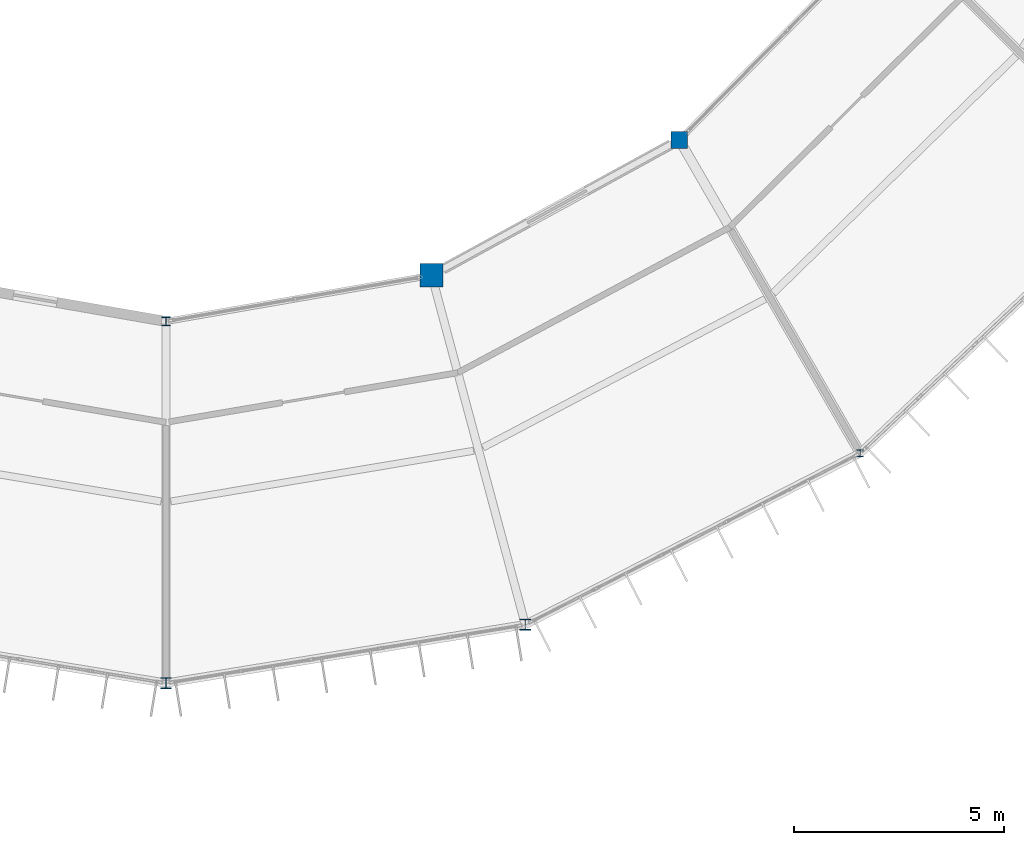
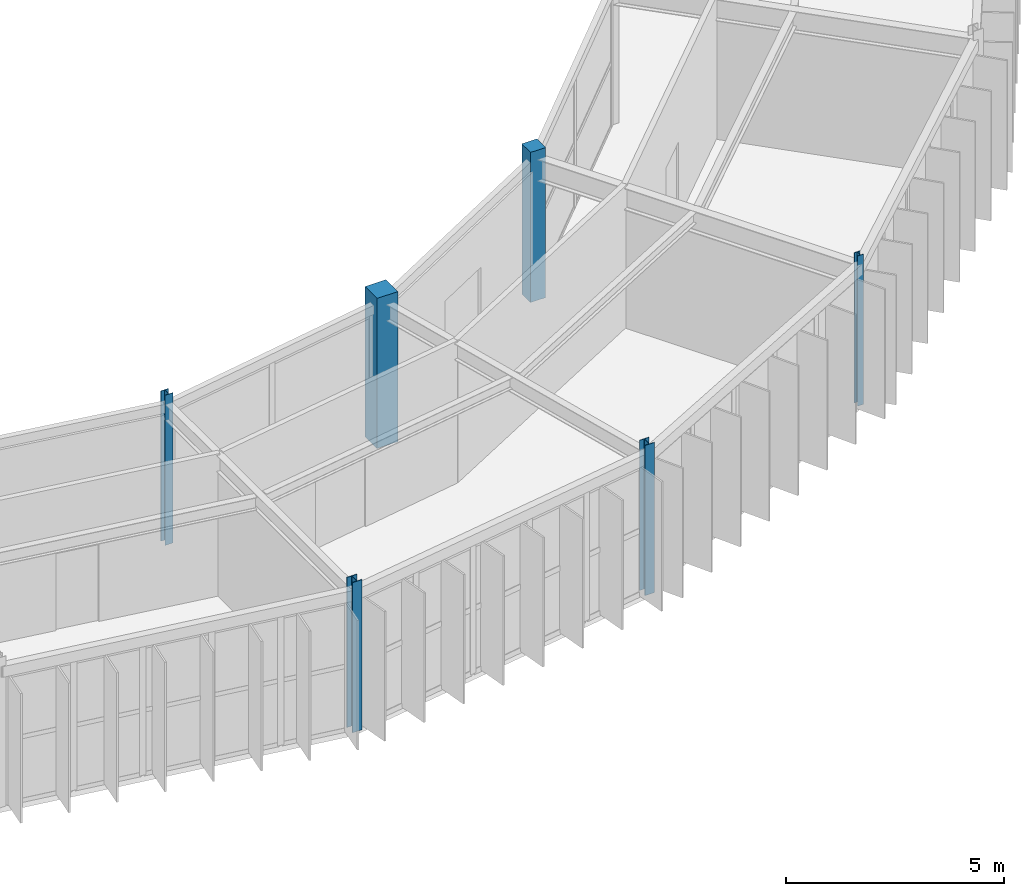
# One storey, part 6 of 134: 6 columns.
"""IFC4 building model written with IfcOpenShell, lengths in metres."""

from ifc_helpers import new_model, si_unit, direction, frame, origin, origin_2d, place, context, subcontext, project, spatial, rectangle, i_section, extrude, material, material_profile, profile_set, type_object, element, save


model = new_model("IFC4")

# Units and contexts
model_context = context("Model", 3, precision=1e-05, world=origin(), true_north=direction((0.0, 1.0)))
body_context = subcontext(model_context, "Body", "Model", "MODEL_VIEW")
ifc_project = project(units=[si_unit("LENGTHUNIT", "METRE"), si_unit("AREAUNIT", "SQUARE_METRE"), si_unit("VOLUMEUNIT", "CUBIC_METRE"), si_unit("PLANEANGLEUNIT", "RADIAN"), si_unit("MASSUNIT", "GRAM", prefix="KILO")], contexts=[model_context])

# Site, building, storey
site_placement = place(None, origin())
site = spatial("IfcSite", under=ifc_project, at=site_placement, CompositionType="ELEMENT")
building_placement = place(site_placement, origin())
building = spatial("IfcBuilding", under=site, at=building_placement, Name="Karori Crest Natural Sciences Institute", CompositionType="ELEMENT")
storey_placement = place(building_placement, frame((0.0, 0.0, 21.699951171875)))
storey = spatial("IfcBuildingStorey", under=building, at=storey_placement, Name="L05", CompositionType="ELEMENT", Elevation=21.699951171875)

# Columns
ifc_material_1 = material(Name="Structural steel AS/NZS 3679.1 Grade 350", Category="steel")
ifc_material_profile_1 = material_profile(ifc_material_1, i_section(OverallWidth=0.256103515625, OverallDepth=0.260009765625, WebThickness=0.010498046875, FlangeThickness=0.017333984375, FilletRadius=0.013916015625, at=origin_2d()), Name="250UC89.5")
ifc_profile_set_1 = profile_set([ifc_material_profile_1], Name="Structural steel AS/NZS 3679.1 Grade 350")
column_type_1 = type_object("IfcColumnType", Name="CT-06", PredefinedType="COLUMN", material=ifc_profile_set_1)
column_1_placement = place(storey_placement, frame((66.39990234375, 9.10009765625, 0.0), z_axis=(0.0, 0.0, 1.0), x_axis=(1.0, 0.0, 0.0)))
element("IfcColumn", 1, at=column_1_placement, inside=storey, type_object=column_type_1, Name="Column C-0309", PredefinedType="COLUMN", context=body_context, shape_type="SweptSolid", body=[
    extrude(i_section(OverallWidth=0.256103515625, OverallDepth=0.260009765625, WebThickness=0.010498046875, FlangeThickness=0.017333984375, FilletRadius=0.013916015625, at=origin_2d()), origin(), (0.0, 0.0, 1.0), 4.199951171875),
])
ifc_material_profile_2 = material_profile(ifc_material_1, i_section(OverallWidth=0.25390625, OverallDepth=0.25390625, WebThickness=0.008544921875, FlangeThickness=0.01416015625, FilletRadius=0.013916015625, at=origin_2d()), Name="250UC72.9")
ifc_profile_set_2 = profile_set([ifc_material_profile_2], Name="Structural steel AS/NZS 3679.1 Grade 350")
column_type_2 = type_object("IfcColumnType", Name="CT-07", PredefinedType="COLUMN", material=ifc_profile_set_2)
column_2_placement = place(storey_placement, frame((74.94091796875, 10.490234375, 0.0), z_axis=(0.0, 0.0, 1.0), x_axis=(1.0, 0.0, 0.0)))
element("IfcColumn", 2, at=column_2_placement, inside=storey, type_object=column_type_2, Name="Column C-0325", PredefinedType="COLUMN", context=body_context, shape_type="SweptSolid", body=[
    extrude(i_section(OverallWidth=0.25390625, OverallDepth=0.25390625, WebThickness=0.008544921875, FlangeThickness=0.01416015625, FilletRadius=0.013916015625, at=origin_2d()), origin(), (0.0, 0.0, 1.0), 4.199951171875),
])
ifc_material_profile_3 = material_profile(ifc_material_1, i_section(OverallWidth=0.205078125, OverallDepth=0.2099609375, WebThickness=0.00927734375, FlangeThickness=0.01416015625, FilletRadius=0.010986328125, at=origin_2d()), Name="200UC59.5")
ifc_profile_set_3 = profile_set([ifc_material_profile_3], Name="Structural steel AS/NZS 3679.1 Grade 350")
column_type_3 = type_object("IfcColumnType", Name="CT-08", PredefinedType="COLUMN", material=ifc_profile_set_3)
column_3_placement = place(storey_placement, frame((66.39990234375, 17.699951171875, 0.0), z_axis=(0.0, 0.0, 1.0), x_axis=(1.0, 0.0, 0.0)))
element("IfcColumn", 3, at=column_3_placement, inside=storey, type_object=column_type_3, Name="Column C-0310", PredefinedType="COLUMN", context=body_context, shape_type="SweptSolid", body=[
    extrude(i_section(OverallWidth=0.205078125, OverallDepth=0.2099609375, WebThickness=0.00927734375, FlangeThickness=0.01416015625, FilletRadius=0.010986328125, at=origin_2d()), origin(), (0.0, 0.0, 1.0), 4.199951171875),
])
ifc_material_profile_4 = material_profile(ifc_material_1, i_section(OverallWidth=0.154052734375, OverallDepth=0.162109375, WebThickness=0.008056640625, FlangeThickness=0.011474609375, FilletRadius=0.009033203125, at=origin_2d()), Name="150UC37.2")
ifc_profile_set_4 = profile_set([ifc_material_profile_4], Name="Structural steel AS/NZS 3679.1 Grade 350")
column_type_4 = type_object("IfcColumnType", Name="CT-26", PredefinedType="COLUMN", material=ifc_profile_set_4)
column_4_placement = place(storey_placement, frame((82.89990234375, 14.566162109375, 0.0), z_axis=(0.0, 0.0, 1.0), x_axis=(1.0, 0.0, 0.0)))
element("IfcColumn", 4, at=column_4_placement, inside=storey, type_object=column_type_4, Name="Column C-0341", PredefinedType="COLUMN", context=body_context, shape_type="SweptSolid", body=[
    extrude(i_section(OverallWidth=0.154052734375, OverallDepth=0.162109375, WebThickness=0.008056640625, FlangeThickness=0.011474609375, FilletRadius=0.009033203125, at=origin_2d()), origin(), (0.0, 0.0, 1.0), 4.199951171875),
])
ifc_material_2 = material(Name="Concrete 50 MPa", Category="concrete")
ifc_material_profile_5 = material_profile(ifc_material_2, rectangle(XDim=0.550048828125, YDim=0.550048828125, at=origin_2d()), Name="RC550x550")
ifc_profile_set_5 = profile_set([ifc_material_profile_5], Name="Concrete 50 MPa")
column_type_5 = type_object("IfcColumnType", Name="CT-30", PredefinedType="COLUMN", material=ifc_profile_set_5)
column_5_placement = place(storey_placement, frame((72.715087890625, 18.797119140625, 0.0), z_axis=(0.0, 0.0, 1.0), x_axis=(1.0, 0.0, 0.0)))
element("IfcColumn", 5, at=column_5_placement, inside=storey, type_object=column_type_5, Name="Column C-0326", PredefinedType="COLUMN", context=body_context, shape_type="SweptSolid", body=[
    extrude(rectangle(XDim=0.550048828125, YDim=0.550048828125, at=origin_2d()), origin(), (0.0, 0.0, 1.0), 4.199951171875),
])
ifc_material_profile_6 = material_profile(ifc_material_2, rectangle(XDim=0.39990234375, YDim=0.39990234375, at=origin_2d()), Name="RC400x400")
ifc_profile_set_6 = profile_set([ifc_material_profile_6], Name="Concrete 50 MPa")
column_type_6 = type_object("IfcColumnType", Name="CT-31", PredefinedType="PILASTER", material=ifc_profile_set_6)
column_6_placement = place(storey_placement, frame((78.60009765625, 22.013916015625, 0.0), z_axis=(0.0, 0.0, 1.0), x_axis=(1.0, 0.0, 0.0)))
element("IfcColumn", 6, at=column_6_placement, inside=storey, type_object=column_type_6, Name="Column C-0342", PredefinedType="PILASTER", context=body_context, shape_type="SweptSolid", body=[
    extrude(rectangle(XDim=0.39990234375, YDim=0.39990234375, at=origin_2d()), origin(), (0.0, 0.0, 1.0), 4.199951171875),
])

save(model, "model.ifc")
